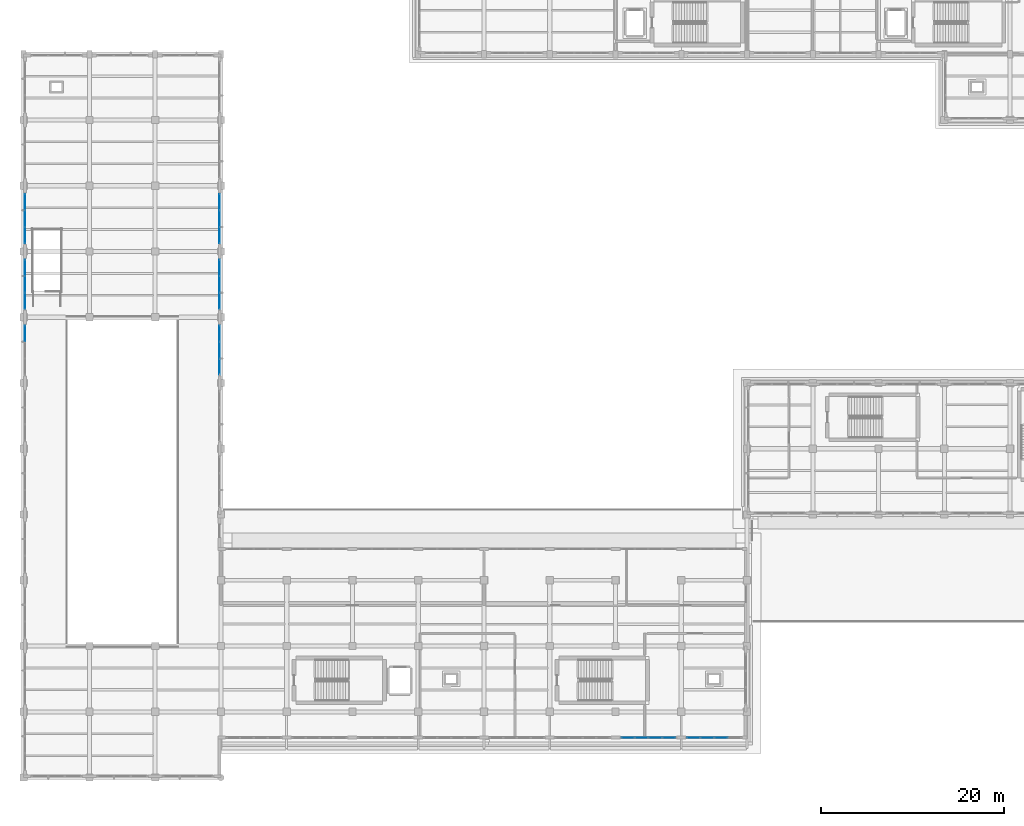
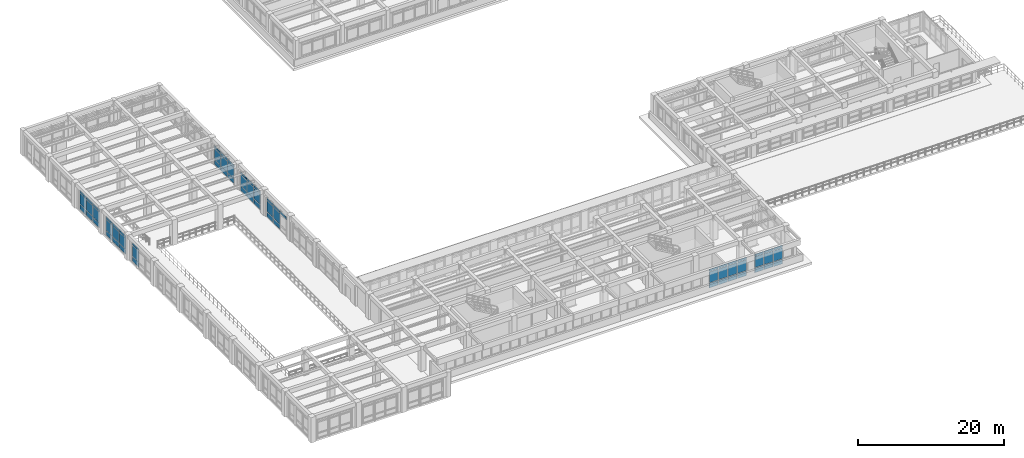
# One storey, part 37 of 67: 67 plates, 8 elements without a shape of their own.
"""IFC4 building model written with IfcOpenShell, lengths in metres."""

from ifc_helpers import new_model, si_unit, direction, frame, origin, origin_2d, place, context, subcontext, project, spatial, rectangle, extrude, material, layer, layer_set, type_object, element, aggregate, save


model = new_model("IFC4")

# Units and contexts
model_context = context("Model", 3, precision=1e-05, world=origin(), true_north=direction((0.0, 1.0)))
body_context = subcontext(model_context, "Body", "Model", "MODEL_VIEW")
ifc_project = project(units=[si_unit("LENGTHUNIT", "METRE"), si_unit("AREAUNIT", "SQUARE_METRE"), si_unit("VOLUMEUNIT", "CUBIC_METRE"), si_unit("PLANEANGLEUNIT", "RADIAN"), si_unit("MASSUNIT", "GRAM", prefix="KILO")], contexts=[model_context])

# Site, building, storey
site_placement = place(None, origin())
site = spatial("IfcSite", under=ifc_project, at=site_placement, CompositionType="ELEMENT")
building_placement = place(site_placement, origin())
building = spatial("IfcBuilding", under=site, at=building_placement, Name="Solenvale Faculty of Natural Sciences", CompositionType="ELEMENT")
storey_placement = place(building_placement, frame((0.0, 0.0, 13.5)))
storey = spatial("IfcBuildingStorey", under=building, at=storey_placement, Name="L03", CompositionType="ELEMENT", Elevation=13.5)

# Curtain wall, plates
ifc_material_1 = material(Name="Anodised bronze aluminium", Category="aluminium")
ifc_layer_1 = layer(ifc_material_1, 0.215087890625)
ifc_layer_set_1 = layer_set([ifc_layer_1], Name="Anodised bronze aluminium")
curtain_wall_type_1 = type_object("IfcCurtainWallType", Name="CW-ATR-UNIT", PredefinedType="USERDEFINED", material=ifc_layer_set_1)
curtain_wall_1_placement = place(storey_placement, origin())
curtain_wall_1 = element("IfcCurtainWall", 1, at=curtain_wall_1_placement, inside=storey, type_object=curtain_wall_type_1, Name="L03 Curtain Wall CW-L03-P1-E1-B4", ObjectType="UNITISED CURTAIN WALL", PredefinedType="USERDEFINED")
ifc_material_2 = material(Name="Triple low-E insulated glass", Category="glass")
ifc_layer_2 = layer(ifc_material_2, 0.031982421875)
ifc_layer_set_2 = layer_set([ifc_layer_2], Name="Triple low-E insulated glass")
plate_type_1 = type_object("IfcPlateType", Name="CWP-PNL-32", PredefinedType="CURTAIN_PANEL", material=ifc_layer_set_2)
plate_1_placement = place(storey_placement, frame((57.45751953125, 59.385498046875, 2.79736328125), z_axis=(0.0, 0.0, 1.0), x_axis=(0.0, 1.0, 0.0)))
plate_1 = element("IfcPlate", 2, at=plate_1_placement, type_object=plate_type_1, Name="CW-01 panel 1.3", PredefinedType="CURTAIN_PANEL", context=body_context, shape_type="SweptSolid", body=[
    extrude(rectangle(XDim=1.720947265625, YDim=0.031982421875, at=origin_2d()), origin(), (0.0, 0.0, 1.0), 0.387451171875),
])
plate_2_placement = place(storey_placement, frame((57.45751953125, 61.199951171875, 0.074951171875), z_axis=(0.0, 0.0, 1.0), x_axis=(0.0, 1.0, 0.0)))
plate_2 = element("IfcPlate", 3, at=plate_2_placement, type_object=plate_type_1, Name="CW-01 panel 2.1", PredefinedType="CURTAIN_PANEL", context=body_context, shape_type="SweptSolid", body=[
    extrude(rectangle(XDim=1.75830078125, YDim=0.031982421875, at=origin_2d()), origin(), (0.0, 0.0, 1.0), 0.78759765625),
])
plate_3_placement = place(storey_placement, frame((57.45751953125, 61.199951171875, 0.9375), z_axis=(0.0, 0.0, 1.0), x_axis=(0.0, 1.0, 0.0)))
plate_3 = element("IfcPlate", 4, at=plate_3_placement, type_object=plate_type_1, Name="CW-01 panel 2.2", PredefinedType="CURTAIN_PANEL", context=body_context, shape_type="SweptSolid", body=[
    extrude(rectangle(XDim=1.75830078125, YDim=0.031982421875, at=origin_2d()), origin(), (0.0, 0.0, 1.0), 1.784912109375),
])
plate_4_placement = place(storey_placement, frame((57.45751953125, 61.199951171875, 2.79736328125), z_axis=(0.0, 0.0, 1.0), x_axis=(0.0, 1.0, 0.0)))
plate_4 = element("IfcPlate", 5, at=plate_4_placement, type_object=plate_type_1, Name="CW-01 panel 2.3", PredefinedType="CURTAIN_PANEL", context=body_context, shape_type="SweptSolid", body=[
    extrude(rectangle(XDim=1.75830078125, YDim=0.031982421875, at=origin_2d()), origin(), (0.0, 0.0, 1.0), 0.387451171875),
])
plate_5_placement = place(storey_placement, frame((57.45751953125, 63.0146484375, 0.074951171875), z_axis=(0.0, 0.0, 1.0), x_axis=(0.0, 1.0, 0.0)))
plate_5 = element("IfcPlate", 6, at=plate_5_placement, type_object=plate_type_1, Name="CW-01 panel 3.1", PredefinedType="CURTAIN_PANEL", context=body_context, shape_type="SweptSolid", body=[
    extrude(rectangle(XDim=1.720947265625, YDim=0.031982421875, at=origin_2d()), origin(), (0.0, 0.0, 1.0), 0.78759765625),
])
plate_6_placement = place(storey_placement, frame((57.45751953125, 63.0146484375, 0.9375), z_axis=(0.0, 0.0, 1.0), x_axis=(0.0, 1.0, 0.0)))
plate_6 = element("IfcPlate", 7, at=plate_6_placement, type_object=plate_type_1, Name="CW-01 panel 3.2", PredefinedType="CURTAIN_PANEL", context=body_context, shape_type="SweptSolid", body=[
    extrude(rectangle(XDim=1.720947265625, YDim=0.031982421875, at=origin_2d()), origin(), (0.0, 0.0, 1.0), 1.784912109375),
])
plate_7_placement = place(storey_placement, frame((57.45751953125, 63.0146484375, 2.79736328125), z_axis=(0.0, 0.0, 1.0), x_axis=(0.0, 1.0, 0.0)))
plate_7 = element("IfcPlate", 8, at=plate_7_placement, type_object=plate_type_1, Name="CW-01 panel 3.3", PredefinedType="CURTAIN_PANEL", context=body_context, shape_type="SweptSolid", body=[
    extrude(rectangle(XDim=1.720947265625, YDim=0.031982421875, at=origin_2d()), origin(), (0.0, 0.0, 1.0), 0.387451171875),
])
aggregate(curtain_wall_1, [plate_1, plate_2, plate_3, plate_4, plate_5, plate_6, plate_7])

ifc_layer_3 = layer(ifc_material_1, 0.18994140625)
ifc_layer_set_3 = layer_set([ifc_layer_3], Name="Anodised bronze aluminium")
curtain_wall_type_2 = type_object("IfcCurtainWallType", Name="CW-TRAY-REC", PredefinedType="USERDEFINED", material=ifc_layer_set_3)
curtain_wall_2_placement = place(storey_placement, origin())
curtain_wall_2 = element("IfcCurtainWall", 9, at=curtain_wall_2_placement, inside=storey, type_object=curtain_wall_type_2, Name="L03 Curtain Wall CW-L03-P1-E6-B7", ObjectType="UNITISED CURTAIN WALL", PredefinedType="USERDEFINED")
plate_8_placement = place(storey_placement, frame((102.15380859375, 18.762451171875, 0.074951171875), z_axis=(0.0, 0.0, 1.0), x_axis=(1.0, 0.0, 0.0)))
plate_8 = element("IfcPlate", 10, at=plate_8_placement, type_object=plate_type_1, Name="CW-02 panel 1.1", PredefinedType="CURTAIN_PANEL", context=body_context, shape_type="SweptSolid", body=[
    extrude(rectangle(XDim=1.3974609375, YDim=0.031982421875, at=origin_2d()), origin(), (0.0, 0.0, 1.0), 0.78759765625),
])
plate_9_placement = place(storey_placement, frame((102.15380859375, 18.762451171875, 0.9375), z_axis=(0.0, 0.0, 1.0), x_axis=(1.0, 0.0, 0.0)))
plate_9 = element("IfcPlate", 11, at=plate_9_placement, type_object=plate_type_1, Name="CW-02 panel 1.2", PredefinedType="CURTAIN_PANEL", context=body_context, shape_type="SweptSolid", body=[
    extrude(rectangle(XDim=1.3974609375, YDim=0.031982421875, at=origin_2d()), origin(), (0.0, 0.0, 1.0), 1.784912109375),
])
plate_10_placement = place(storey_placement, frame((102.15380859375, 18.762451171875, 2.79736328125), z_axis=(0.0, 0.0, 1.0), x_axis=(1.0, 0.0, 0.0)))
plate_10 = element("IfcPlate", 12, at=plate_10_placement, type_object=plate_type_1, Name="CW-02 panel 1.3", PredefinedType="CURTAIN_PANEL", context=body_context, shape_type="SweptSolid", body=[
    extrude(rectangle(XDim=1.3974609375, YDim=0.031982421875, at=origin_2d()), origin(), (0.0, 0.0, 1.0), 0.387451171875),
])
plate_11_placement = place(storey_placement, frame((103.64501953125, 18.762451171875, 0.074951171875), z_axis=(0.0, 0.0, 1.0), x_axis=(1.0, 0.0, 0.0)))
plate_11 = element("IfcPlate", 13, at=plate_11_placement, type_object=plate_type_1, Name="CW-02 panel 2.1", PredefinedType="CURTAIN_PANEL", context=body_context, shape_type="SweptSolid", body=[
    extrude(rectangle(XDim=1.43505859375, YDim=0.031982421875, at=origin_2d()), origin(), (0.0, 0.0, 1.0), 0.78759765625),
])
plate_12_placement = place(storey_placement, frame((103.64501953125, 18.762451171875, 0.9375), z_axis=(0.0, 0.0, 1.0), x_axis=(1.0, 0.0, 0.0)))
plate_12 = element("IfcPlate", 14, at=plate_12_placement, type_object=plate_type_1, Name="CW-02 panel 2.2", PredefinedType="CURTAIN_PANEL", context=body_context, shape_type="SweptSolid", body=[
    extrude(rectangle(XDim=1.43505859375, YDim=0.031982421875, at=origin_2d()), origin(), (0.0, 0.0, 1.0), 1.784912109375),
])
plate_13_placement = place(storey_placement, frame((103.64501953125, 18.762451171875, 2.79736328125), z_axis=(0.0, 0.0, 1.0), x_axis=(1.0, 0.0, 0.0)))
plate_13 = element("IfcPlate", 15, at=plate_13_placement, type_object=plate_type_1, Name="CW-02 panel 2.3", PredefinedType="CURTAIN_PANEL", context=body_context, shape_type="SweptSolid", body=[
    extrude(rectangle(XDim=1.43505859375, YDim=0.031982421875, at=origin_2d()), origin(), (0.0, 0.0, 1.0), 0.387451171875),
])
plate_14_placement = place(storey_placement, frame((105.155029296875, 18.762451171875, 0.074951171875), z_axis=(0.0, 0.0, 1.0), x_axis=(1.0, 0.0, 0.0)))
plate_14 = element("IfcPlate", 16, at=plate_14_placement, type_object=plate_type_1, Name="CW-02 panel 3.1", PredefinedType="CURTAIN_PANEL", context=body_context, shape_type="SweptSolid", body=[
    extrude(rectangle(XDim=1.43505859375, YDim=0.031982421875, at=origin_2d()), origin(), (0.0, 0.0, 1.0), 0.78759765625),
])
plate_15_placement = place(storey_placement, frame((105.155029296875, 18.762451171875, 0.9375), z_axis=(0.0, 0.0, 1.0), x_axis=(1.0, 0.0, 0.0)))
plate_15 = element("IfcPlate", 17, at=plate_15_placement, type_object=plate_type_1, Name="CW-02 panel 3.2", PredefinedType="CURTAIN_PANEL", context=body_context, shape_type="SweptSolid", body=[
    extrude(rectangle(XDim=1.43505859375, YDim=0.031982421875, at=origin_2d()), origin(), (0.0, 0.0, 1.0), 1.784912109375),
])
plate_16_placement = place(storey_placement, frame((105.155029296875, 18.762451171875, 2.79736328125), z_axis=(0.0, 0.0, 1.0), x_axis=(1.0, 0.0, 0.0)))
plate_16 = element("IfcPlate", 18, at=plate_16_placement, type_object=plate_type_1, Name="CW-02 panel 3.3", PredefinedType="CURTAIN_PANEL", context=body_context, shape_type="SweptSolid", body=[
    extrude(rectangle(XDim=1.43505859375, YDim=0.031982421875, at=origin_2d()), origin(), (0.0, 0.0, 1.0), 0.387451171875),
])
plate_17_placement = place(storey_placement, frame((106.646240234375, 18.762451171875, 0.074951171875), z_axis=(0.0, 0.0, 1.0), x_axis=(1.0, 0.0, 0.0)))
plate_17 = element("IfcPlate", 19, at=plate_17_placement, type_object=plate_type_1, Name="CW-02 panel 4.1", PredefinedType="CURTAIN_PANEL", context=body_context, shape_type="SweptSolid", body=[
    extrude(rectangle(XDim=1.3974609375, YDim=0.031982421875, at=origin_2d()), origin(), (0.0, 0.0, 1.0), 0.78759765625),
])
plate_18_placement = place(storey_placement, frame((106.646240234375, 18.762451171875, 0.9375), z_axis=(0.0, 0.0, 1.0), x_axis=(1.0, 0.0, 0.0)))
plate_18 = element("IfcPlate", 20, at=plate_18_placement, type_object=plate_type_1, Name="CW-02 panel 4.2", PredefinedType="CURTAIN_PANEL", context=body_context, shape_type="SweptSolid", body=[
    extrude(rectangle(XDim=1.3974609375, YDim=0.031982421875, at=origin_2d()), origin(), (0.0, 0.0, 1.0), 1.784912109375),
])
plate_19_placement = place(storey_placement, frame((106.646240234375, 18.762451171875, 2.79736328125), z_axis=(0.0, 0.0, 1.0), x_axis=(1.0, 0.0, 0.0)))
plate_19 = element("IfcPlate", 21, at=plate_19_placement, type_object=plate_type_1, Name="CW-02 panel 4.3", PredefinedType="CURTAIN_PANEL", context=body_context, shape_type="SweptSolid", body=[
    extrude(rectangle(XDim=1.3974609375, YDim=0.031982421875, at=origin_2d()), origin(), (0.0, 0.0, 1.0), 0.387451171875),
])
aggregate(curtain_wall_2, [plate_8, plate_9, plate_10, plate_11, plate_12, plate_13, plate_14, plate_15, plate_16, plate_17, plate_18, plate_19])

curtain_wall_3_placement = place(storey_placement, origin())
curtain_wall_3 = element("IfcCurtainWall", 22, at=curtain_wall_3_placement, inside=storey, type_object=curtain_wall_type_1, Name="L03 Curtain Wall CW-L03-P1-E1-B5", ObjectType="UNITISED CURTAIN WALL", PredefinedType="USERDEFINED")
ifc_layer_4 = layer(ifc_material_2, 0.035888671875)
ifc_layer_set_4 = layer_set([ifc_layer_4], Name="Triple low-E insulated glass")
plate_type_2 = type_object("IfcPlateType", Name="CWP-PNL-36", PredefinedType="CURTAIN_PANEL", material=ifc_layer_set_4)
plate_20_placement = place(storey_placement, frame((57.45751953125, 66.58544921875, 0.074951171875), z_axis=(0.0, 0.0, 1.0), x_axis=(0.0, 1.0, 0.0)))
plate_20 = element("IfcPlate", 23, at=plate_20_placement, type_object=plate_type_2, Name="CW-01 panel 1.1", PredefinedType="CURTAIN_PANEL", context=body_context, shape_type="SweptSolid", body=[
    extrude(rectangle(XDim=1.720947265625, YDim=0.035888671875, at=origin_2d()), origin(), (0.0, 0.0, 1.0), 0.78759765625),
])
plate_21_placement = place(storey_placement, frame((57.45751953125, 66.58544921875, 0.9375), z_axis=(0.0, 0.0, 1.0), x_axis=(0.0, 1.0, 0.0)))
plate_21 = element("IfcPlate", 24, at=plate_21_placement, type_object=plate_type_2, Name="CW-01 panel 1.2", PredefinedType="CURTAIN_PANEL", context=body_context, shape_type="SweptSolid", body=[
    extrude(rectangle(XDim=1.720947265625, YDim=0.035888671875, at=origin_2d()), origin(), (0.0, 0.0, 1.0), 1.784912109375),
])
plate_22_placement = place(storey_placement, frame((57.45751953125, 66.58544921875, 2.79736328125), z_axis=(0.0, 0.0, 1.0), x_axis=(0.0, 1.0, 0.0)))
plate_22 = element("IfcPlate", 25, at=plate_22_placement, type_object=plate_type_2, Name="CW-01 panel 1.3", PredefinedType="CURTAIN_PANEL", context=body_context, shape_type="SweptSolid", body=[
    extrude(rectangle(XDim=1.720947265625, YDim=0.035888671875, at=origin_2d()), origin(), (0.0, 0.0, 1.0), 0.387451171875),
])
plate_23_placement = place(storey_placement, frame((57.45751953125, 68.39990234375, 0.074951171875), z_axis=(0.0, 0.0, 1.0), x_axis=(0.0, 1.0, 0.0)))
plate_23 = element("IfcPlate", 26, at=plate_23_placement, type_object=plate_type_2, Name="CW-01 panel 2.1", PredefinedType="CURTAIN_PANEL", context=body_context, shape_type="SweptSolid", body=[
    extrude(rectangle(XDim=1.75830078125, YDim=0.035888671875, at=origin_2d()), origin(), (0.0, 0.0, 1.0), 0.78759765625),
])
plate_24_placement = place(storey_placement, frame((57.45751953125, 68.39990234375, 0.9375), z_axis=(0.0, 0.0, 1.0), x_axis=(0.0, 1.0, 0.0)))
plate_24 = element("IfcPlate", 27, at=plate_24_placement, type_object=plate_type_2, Name="CW-01 panel 2.2", PredefinedType="CURTAIN_PANEL", context=body_context, shape_type="SweptSolid", body=[
    extrude(rectangle(XDim=1.75830078125, YDim=0.035888671875, at=origin_2d()), origin(), (0.0, 0.0, 1.0), 1.784912109375),
])
plate_25_placement = place(storey_placement, frame((57.45751953125, 68.39990234375, 2.79736328125), z_axis=(0.0, 0.0, 1.0), x_axis=(0.0, 1.0, 0.0)))
plate_25 = element("IfcPlate", 28, at=plate_25_placement, type_object=plate_type_2, Name="CW-01 panel 2.3", PredefinedType="CURTAIN_PANEL", context=body_context, shape_type="SweptSolid", body=[
    extrude(rectangle(XDim=1.75830078125, YDim=0.035888671875, at=origin_2d()), origin(), (0.0, 0.0, 1.0), 0.387451171875),
])
plate_26_placement = place(storey_placement, frame((57.45751953125, 70.214599609375, 0.074951171875), z_axis=(0.0, 0.0, 1.0), x_axis=(0.0, 1.0, 0.0)))
plate_26 = element("IfcPlate", 29, at=plate_26_placement, type_object=plate_type_2, Name="CW-01 panel 3.1", PredefinedType="CURTAIN_PANEL", context=body_context, shape_type="SweptSolid", body=[
    extrude(rectangle(XDim=1.720947265625, YDim=0.035888671875, at=origin_2d()), origin(), (0.0, 0.0, 1.0), 0.78759765625),
])
plate_27_placement = place(storey_placement, frame((57.45751953125, 70.214599609375, 0.9375), z_axis=(0.0, 0.0, 1.0), x_axis=(0.0, 1.0, 0.0)))
plate_27 = element("IfcPlate", 30, at=plate_27_placement, type_object=plate_type_2, Name="CW-01 panel 3.2", PredefinedType="CURTAIN_PANEL", context=body_context, shape_type="SweptSolid", body=[
    extrude(rectangle(XDim=1.720947265625, YDim=0.035888671875, at=origin_2d()), origin(), (0.0, 0.0, 1.0), 1.784912109375),
])
plate_28_placement = place(storey_placement, frame((57.45751953125, 70.214599609375, 2.79736328125), z_axis=(0.0, 0.0, 1.0), x_axis=(0.0, 1.0, 0.0)))
plate_28 = element("IfcPlate", 31, at=plate_28_placement, type_object=plate_type_2, Name="CW-01 panel 3.3", PredefinedType="CURTAIN_PANEL", context=body_context, shape_type="SweptSolid", body=[
    extrude(rectangle(XDim=1.720947265625, YDim=0.035888671875, at=origin_2d()), origin(), (0.0, 0.0, 1.0), 0.387451171875),
])
aggregate(curtain_wall_3, [plate_20, plate_21, plate_22, plate_23, plate_24, plate_25, plate_26, plate_27, plate_28])

curtain_wall_4_placement = place(storey_placement, origin())
curtain_wall_4 = element("IfcCurtainWall", 32, at=curtain_wall_4_placement, inside=storey, type_object=curtain_wall_type_1, Name="L03 Curtain Wall CW-L03-P1-E3-B3", ObjectType="UNITISED CURTAIN WALL", PredefinedType="USERDEFINED")
plate_29_placement = place(storey_placement, frame((36.142578125, 77.41455078125, 0.074951171875), z_axis=(0.0, 0.0, 1.0), x_axis=(0.0, -1.0, 0.0)))
plate_29 = element("IfcPlate", 33, at=plate_29_placement, type_object=plate_type_2, Name="CW-01 panel 1.1", PredefinedType="CURTAIN_PANEL", context=body_context, shape_type="SweptSolid", body=[
    extrude(rectangle(XDim=1.720947265625, YDim=0.035888671875, at=origin_2d()), origin(), (0.0, 0.0, 1.0), 0.78759765625),
])
plate_30_placement = place(storey_placement, frame((36.142578125, 77.41455078125, 0.9375), z_axis=(0.0, 0.0, 1.0), x_axis=(0.0, -1.0, 0.0)))
plate_30 = element("IfcPlate", 34, at=plate_30_placement, type_object=plate_type_2, Name="CW-01 panel 1.2", PredefinedType="CURTAIN_PANEL", context=body_context, shape_type="SweptSolid", body=[
    extrude(rectangle(XDim=1.720947265625, YDim=0.035888671875, at=origin_2d()), origin(), (0.0, 0.0, 1.0), 1.784912109375),
])
plate_31_placement = place(storey_placement, frame((36.142578125, 77.41455078125, 2.79736328125), z_axis=(0.0, 0.0, 1.0), x_axis=(0.0, -1.0, 0.0)))
plate_31 = element("IfcPlate", 35, at=plate_31_placement, type_object=plate_type_2, Name="CW-01 panel 1.3", PredefinedType="CURTAIN_PANEL", context=body_context, shape_type="SweptSolid", body=[
    extrude(rectangle(XDim=1.720947265625, YDim=0.035888671875, at=origin_2d()), origin(), (0.0, 0.0, 1.0), 0.387451171875),
])
plate_32_placement = place(storey_placement, frame((36.142578125, 75.60009765625, 0.074951171875), z_axis=(0.0, 0.0, 1.0), x_axis=(0.0, -1.0, 0.0)))
plate_32 = element("IfcPlate", 36, at=plate_32_placement, type_object=plate_type_2, Name="CW-01 panel 2.1", PredefinedType="CURTAIN_PANEL", context=body_context, shape_type="SweptSolid", body=[
    extrude(rectangle(XDim=1.75830078125, YDim=0.035888671875, at=origin_2d()), origin(), (0.0, 0.0, 1.0), 0.78759765625),
])
plate_33_placement = place(storey_placement, frame((36.142578125, 75.60009765625, 0.9375), z_axis=(0.0, 0.0, 1.0), x_axis=(0.0, -1.0, 0.0)))
plate_33 = element("IfcPlate", 37, at=plate_33_placement, type_object=plate_type_2, Name="CW-01 panel 2.2", PredefinedType="CURTAIN_PANEL", context=body_context, shape_type="SweptSolid", body=[
    extrude(rectangle(XDim=1.75830078125, YDim=0.035888671875, at=origin_2d()), origin(), (0.0, 0.0, 1.0), 1.784912109375),
])
plate_34_placement = place(storey_placement, frame((36.142578125, 75.60009765625, 2.79736328125), z_axis=(0.0, 0.0, 1.0), x_axis=(0.0, -1.0, 0.0)))
plate_34 = element("IfcPlate", 38, at=plate_34_placement, type_object=plate_type_2, Name="CW-01 panel 2.3", PredefinedType="CURTAIN_PANEL", context=body_context, shape_type="SweptSolid", body=[
    extrude(rectangle(XDim=1.75830078125, YDim=0.035888671875, at=origin_2d()), origin(), (0.0, 0.0, 1.0), 0.387451171875),
])
plate_35_placement = place(storey_placement, frame((36.142578125, 73.785400390625, 0.074951171875), z_axis=(0.0, 0.0, 1.0), x_axis=(0.0, -1.0, 0.0)))
plate_35 = element("IfcPlate", 39, at=plate_35_placement, type_object=plate_type_2, Name="CW-01 panel 3.1", PredefinedType="CURTAIN_PANEL", context=body_context, shape_type="SweptSolid", body=[
    extrude(rectangle(XDim=1.720947265625, YDim=0.035888671875, at=origin_2d()), origin(), (0.0, 0.0, 1.0), 0.78759765625),
])
plate_36_placement = place(storey_placement, frame((36.142578125, 73.785400390625, 0.9375), z_axis=(0.0, 0.0, 1.0), x_axis=(0.0, -1.0, 0.0)))
plate_36 = element("IfcPlate", 40, at=plate_36_placement, type_object=plate_type_2, Name="CW-01 panel 3.2", PredefinedType="CURTAIN_PANEL", context=body_context, shape_type="SweptSolid", body=[
    extrude(rectangle(XDim=1.720947265625, YDim=0.035888671875, at=origin_2d()), origin(), (0.0, 0.0, 1.0), 1.784912109375),
])
plate_37_placement = place(storey_placement, frame((36.142578125, 73.785400390625, 2.79736328125), z_axis=(0.0, 0.0, 1.0), x_axis=(0.0, -1.0, 0.0)))
plate_37 = element("IfcPlate", 41, at=plate_37_placement, type_object=plate_type_2, Name="CW-01 panel 3.3", PredefinedType="CURTAIN_PANEL", context=body_context, shape_type="SweptSolid", body=[
    extrude(rectangle(XDim=1.720947265625, YDim=0.035888671875, at=origin_2d()), origin(), (0.0, 0.0, 1.0), 0.387451171875),
])
aggregate(curtain_wall_4, [plate_29, plate_30, plate_31, plate_32, plate_33, plate_34, plate_35, plate_36, plate_37])

curtain_wall_5_placement = place(storey_placement, origin())
curtain_wall_5 = element("IfcCurtainWall", 42, at=curtain_wall_5_placement, inside=storey, type_object=curtain_wall_type_2, Name="L03 Curtain Wall CW-L03-P1-E6-B8", ObjectType="UNITISED CURTAIN WALL", PredefinedType="USERDEFINED")
plate_38_placement = place(storey_placement, frame((109.353759765625, 18.762451171875, 0.074951171875), z_axis=(0.0, 0.0, 1.0), x_axis=(1.0, 0.0, 0.0)))
plate_38 = element("IfcPlate", 43, at=plate_38_placement, type_object=plate_type_2, Name="CW-02 panel 1.1", PredefinedType="CURTAIN_PANEL", context=body_context, shape_type="SweptSolid", body=[
    extrude(rectangle(XDim=1.3974609375, YDim=0.035888671875, at=origin_2d()), origin(), (0.0, 0.0, 1.0), 0.78759765625),
])
plate_39_placement = place(storey_placement, frame((109.353759765625, 18.762451171875, 0.9375), z_axis=(0.0, 0.0, 1.0), x_axis=(1.0, 0.0, 0.0)))
plate_39 = element("IfcPlate", 44, at=plate_39_placement, type_object=plate_type_2, Name="CW-02 panel 1.2", PredefinedType="CURTAIN_PANEL", context=body_context, shape_type="SweptSolid", body=[
    extrude(rectangle(XDim=1.3974609375, YDim=0.035888671875, at=origin_2d()), origin(), (0.0, 0.0, 1.0), 1.784912109375),
])
plate_40_placement = place(storey_placement, frame((109.353759765625, 18.762451171875, 2.79736328125), z_axis=(0.0, 0.0, 1.0), x_axis=(1.0, 0.0, 0.0)))
plate_40 = element("IfcPlate", 45, at=plate_40_placement, type_object=plate_type_2, Name="CW-02 panel 1.3", PredefinedType="CURTAIN_PANEL", context=body_context, shape_type="SweptSolid", body=[
    extrude(rectangle(XDim=1.3974609375, YDim=0.035888671875, at=origin_2d()), origin(), (0.0, 0.0, 1.0), 0.387451171875),
])
plate_41_placement = place(storey_placement, frame((110.844970703125, 18.762451171875, 0.074951171875), z_axis=(0.0, 0.0, 1.0), x_axis=(1.0, 0.0, 0.0)))
plate_41 = element("IfcPlate", 46, at=plate_41_placement, type_object=plate_type_2, Name="CW-02 panel 2.1", PredefinedType="CURTAIN_PANEL", context=body_context, shape_type="SweptSolid", body=[
    extrude(rectangle(XDim=1.43505859375, YDim=0.035888671875, at=origin_2d()), origin(), (0.0, 0.0, 1.0), 0.78759765625),
])
plate_42_placement = place(storey_placement, frame((110.844970703125, 18.762451171875, 0.9375), z_axis=(0.0, 0.0, 1.0), x_axis=(1.0, 0.0, 0.0)))
plate_42 = element("IfcPlate", 47, at=plate_42_placement, type_object=plate_type_2, Name="CW-02 panel 2.2", PredefinedType="CURTAIN_PANEL", context=body_context, shape_type="SweptSolid", body=[
    extrude(rectangle(XDim=1.43505859375, YDim=0.035888671875, at=origin_2d()), origin(), (0.0, 0.0, 1.0), 1.784912109375),
])
plate_43_placement = place(storey_placement, frame((110.844970703125, 18.762451171875, 2.79736328125), z_axis=(0.0, 0.0, 1.0), x_axis=(1.0, 0.0, 0.0)))
plate_43 = element("IfcPlate", 48, at=plate_43_placement, type_object=plate_type_2, Name="CW-02 panel 2.3", PredefinedType="CURTAIN_PANEL", context=body_context, shape_type="SweptSolid", body=[
    extrude(rectangle(XDim=1.43505859375, YDim=0.035888671875, at=origin_2d()), origin(), (0.0, 0.0, 1.0), 0.387451171875),
])
plate_44_placement = place(storey_placement, frame((112.35498046875, 18.762451171875, 0.074951171875), z_axis=(0.0, 0.0, 1.0), x_axis=(1.0, 0.0, 0.0)))
plate_44 = element("IfcPlate", 49, at=plate_44_placement, type_object=plate_type_2, Name="CW-02 panel 3.1", PredefinedType="CURTAIN_PANEL", context=body_context, shape_type="SweptSolid", body=[
    extrude(rectangle(XDim=1.43505859375, YDim=0.035888671875, at=origin_2d()), origin(), (0.0, 0.0, 1.0), 0.78759765625),
])
plate_45_placement = place(storey_placement, frame((112.35498046875, 18.762451171875, 0.9375), z_axis=(0.0, 0.0, 1.0), x_axis=(1.0, 0.0, 0.0)))
plate_45 = element("IfcPlate", 50, at=plate_45_placement, type_object=plate_type_2, Name="CW-02 panel 3.2", PredefinedType="CURTAIN_PANEL", context=body_context, shape_type="SweptSolid", body=[
    extrude(rectangle(XDim=1.43505859375, YDim=0.035888671875, at=origin_2d()), origin(), (0.0, 0.0, 1.0), 1.784912109375),
])
plate_46_placement = place(storey_placement, frame((112.35498046875, 18.762451171875, 2.79736328125), z_axis=(0.0, 0.0, 1.0), x_axis=(1.0, 0.0, 0.0)))
plate_46 = element("IfcPlate", 51, at=plate_46_placement, type_object=plate_type_2, Name="CW-02 panel 3.3", PredefinedType="CURTAIN_PANEL", context=body_context, shape_type="SweptSolid", body=[
    extrude(rectangle(XDim=1.43505859375, YDim=0.035888671875, at=origin_2d()), origin(), (0.0, 0.0, 1.0), 0.387451171875),
])
aggregate(curtain_wall_5, [plate_38, plate_39, plate_40, plate_41, plate_42, plate_43, plate_44, plate_45, plate_46])

curtain_wall_6_placement = place(storey_placement, origin())
curtain_wall_6 = element("IfcCurtainWall", 52, at=curtain_wall_6_placement, inside=storey, type_object=curtain_wall_type_1, Name="L03 Curtain Wall CW-L03-P1-E1-B6", ObjectType="UNITISED CURTAIN WALL", PredefinedType="USERDEFINED")
ifc_layer_5 = layer(ifc_material_2, 0.0400390625)
ifc_layer_set_5 = layer_set([ifc_layer_5], Name="Triple low-E insulated glass")
plate_type_3 = type_object("IfcPlateType", Name="CWP-PNL-40", PredefinedType="CURTAIN_PANEL", material=ifc_layer_set_5)
plate_47_placement = place(storey_placement, frame((57.45751953125, 73.785400390625, 0.074951171875), z_axis=(0.0, 0.0, 1.0), x_axis=(0.0, 1.0, 0.0)))
plate_47 = element("IfcPlate", 53, at=plate_47_placement, type_object=plate_type_3, Name="CW-01 panel 1.1", PredefinedType="CURTAIN_PANEL", context=body_context, shape_type="SweptSolid", body=[
    extrude(rectangle(XDim=1.720947265625, YDim=0.0400390625, at=origin_2d()), origin(), (0.0, 0.0, 1.0), 0.78759765625),
])
plate_48_placement = place(storey_placement, frame((57.45751953125, 73.785400390625, 0.9375), z_axis=(0.0, 0.0, 1.0), x_axis=(0.0, 1.0, 0.0)))
plate_48 = element("IfcPlate", 54, at=plate_48_placement, type_object=plate_type_3, Name="CW-01 panel 1.2", PredefinedType="CURTAIN_PANEL", context=body_context, shape_type="SweptSolid", body=[
    extrude(rectangle(XDim=1.720947265625, YDim=0.0400390625, at=origin_2d()), origin(), (0.0, 0.0, 1.0), 1.784912109375),
])
plate_49_placement = place(storey_placement, frame((57.45751953125, 73.785400390625, 2.79736328125), z_axis=(0.0, 0.0, 1.0), x_axis=(0.0, 1.0, 0.0)))
plate_49 = element("IfcPlate", 55, at=plate_49_placement, type_object=plate_type_3, Name="CW-01 panel 1.3", PredefinedType="CURTAIN_PANEL", context=body_context, shape_type="SweptSolid", body=[
    extrude(rectangle(XDim=1.720947265625, YDim=0.0400390625, at=origin_2d()), origin(), (0.0, 0.0, 1.0), 0.387451171875),
])
plate_50_placement = place(storey_placement, frame((57.45751953125, 75.60009765625, 0.074951171875), z_axis=(0.0, 0.0, 1.0), x_axis=(0.0, 1.0, 0.0)))
plate_50 = element("IfcPlate", 56, at=plate_50_placement, type_object=plate_type_3, Name="CW-01 panel 2.1", PredefinedType="CURTAIN_PANEL", context=body_context, shape_type="SweptSolid", body=[
    extrude(rectangle(XDim=1.75830078125, YDim=0.0400390625, at=origin_2d()), origin(), (0.0, 0.0, 1.0), 0.78759765625),
])
plate_51_placement = place(storey_placement, frame((57.45751953125, 75.60009765625, 0.9375), z_axis=(0.0, 0.0, 1.0), x_axis=(0.0, 1.0, 0.0)))
plate_51 = element("IfcPlate", 57, at=plate_51_placement, type_object=plate_type_3, Name="CW-01 panel 2.2", PredefinedType="CURTAIN_PANEL", context=body_context, shape_type="SweptSolid", body=[
    extrude(rectangle(XDim=1.75830078125, YDim=0.0400390625, at=origin_2d()), origin(), (0.0, 0.0, 1.0), 1.784912109375),
])
plate_52_placement = place(storey_placement, frame((57.45751953125, 75.60009765625, 2.79736328125), z_axis=(0.0, 0.0, 1.0), x_axis=(0.0, 1.0, 0.0)))
plate_52 = element("IfcPlate", 58, at=plate_52_placement, type_object=plate_type_3, Name="CW-01 panel 2.3", PredefinedType="CURTAIN_PANEL", context=body_context, shape_type="SweptSolid", body=[
    extrude(rectangle(XDim=1.75830078125, YDim=0.0400390625, at=origin_2d()), origin(), (0.0, 0.0, 1.0), 0.387451171875),
])
plate_53_placement = place(storey_placement, frame((57.45751953125, 77.41455078125, 0.074951171875), z_axis=(0.0, 0.0, 1.0), x_axis=(0.0, 1.0, 0.0)))
plate_53 = element("IfcPlate", 59, at=plate_53_placement, type_object=plate_type_3, Name="CW-01 panel 3.1", PredefinedType="CURTAIN_PANEL", context=body_context, shape_type="SweptSolid", body=[
    extrude(rectangle(XDim=1.720947265625, YDim=0.0400390625, at=origin_2d()), origin(), (0.0, 0.0, 1.0), 0.78759765625),
])
plate_54_placement = place(storey_placement, frame((57.45751953125, 77.41455078125, 0.9375), z_axis=(0.0, 0.0, 1.0), x_axis=(0.0, 1.0, 0.0)))
plate_54 = element("IfcPlate", 60, at=plate_54_placement, type_object=plate_type_3, Name="CW-01 panel 3.2", PredefinedType="CURTAIN_PANEL", context=body_context, shape_type="SweptSolid", body=[
    extrude(rectangle(XDim=1.720947265625, YDim=0.0400390625, at=origin_2d()), origin(), (0.0, 0.0, 1.0), 1.784912109375),
])
plate_55_placement = place(storey_placement, frame((57.45751953125, 77.41455078125, 2.79736328125), z_axis=(0.0, 0.0, 1.0), x_axis=(0.0, 1.0, 0.0)))
plate_55 = element("IfcPlate", 61, at=plate_55_placement, type_object=plate_type_3, Name="CW-01 panel 3.3", PredefinedType="CURTAIN_PANEL", context=body_context, shape_type="SweptSolid", body=[
    extrude(rectangle(XDim=1.720947265625, YDim=0.0400390625, at=origin_2d()), origin(), (0.0, 0.0, 1.0), 0.387451171875),
])
aggregate(curtain_wall_6, [plate_47, plate_48, plate_49, plate_50, plate_51, plate_52, plate_53, plate_54, plate_55])

curtain_wall_7_placement = place(storey_placement, origin())
curtain_wall_7 = element("IfcCurtainWall", 62, at=curtain_wall_7_placement, inside=storey, type_object=curtain_wall_type_1, Name="L03 Curtain Wall CW-L03-P1-E3-B4", ObjectType="UNITISED CURTAIN WALL", PredefinedType="USERDEFINED")
plate_56_placement = place(storey_placement, frame((36.142578125, 70.214599609375, 0.074951171875), z_axis=(0.0, 0.0, 1.0), x_axis=(0.0, -1.0, 0.0)))
plate_56 = element("IfcPlate", 63, at=plate_56_placement, type_object=plate_type_3, Name="CW-01 panel 1.1", PredefinedType="CURTAIN_PANEL", context=body_context, shape_type="SweptSolid", body=[
    extrude(rectangle(XDim=1.720947265625, YDim=0.0400390625, at=origin_2d()), origin(), (0.0, 0.0, 1.0), 0.78759765625),
])
plate_57_placement = place(storey_placement, frame((36.142578125, 70.214599609375, 0.9375), z_axis=(0.0, 0.0, 1.0), x_axis=(0.0, -1.0, 0.0)))
plate_57 = element("IfcPlate", 64, at=plate_57_placement, type_object=plate_type_3, Name="CW-01 panel 1.2", PredefinedType="CURTAIN_PANEL", context=body_context, shape_type="SweptSolid", body=[
    extrude(rectangle(XDim=1.720947265625, YDim=0.0400390625, at=origin_2d()), origin(), (0.0, 0.0, 1.0), 1.784912109375),
])
plate_58_placement = place(storey_placement, frame((36.142578125, 70.214599609375, 2.79736328125), z_axis=(0.0, 0.0, 1.0), x_axis=(0.0, -1.0, 0.0)))
plate_58 = element("IfcPlate", 65, at=plate_58_placement, type_object=plate_type_3, Name="CW-01 panel 1.3", PredefinedType="CURTAIN_PANEL", context=body_context, shape_type="SweptSolid", body=[
    extrude(rectangle(XDim=1.720947265625, YDim=0.0400390625, at=origin_2d()), origin(), (0.0, 0.0, 1.0), 0.387451171875),
])
plate_59_placement = place(storey_placement, frame((36.142578125, 68.39990234375, 0.074951171875), z_axis=(0.0, 0.0, 1.0), x_axis=(0.0, -1.0, 0.0)))
plate_59 = element("IfcPlate", 66, at=plate_59_placement, type_object=plate_type_3, Name="CW-01 panel 2.1", PredefinedType="CURTAIN_PANEL", context=body_context, shape_type="SweptSolid", body=[
    extrude(rectangle(XDim=1.75830078125, YDim=0.0400390625, at=origin_2d()), origin(), (0.0, 0.0, 1.0), 0.78759765625),
])
plate_60_placement = place(storey_placement, frame((36.142578125, 68.39990234375, 0.9375), z_axis=(0.0, 0.0, 1.0), x_axis=(0.0, -1.0, 0.0)))
plate_60 = element("IfcPlate", 67, at=plate_60_placement, type_object=plate_type_3, Name="CW-01 panel 2.2", PredefinedType="CURTAIN_PANEL", context=body_context, shape_type="SweptSolid", body=[
    extrude(rectangle(XDim=1.75830078125, YDim=0.0400390625, at=origin_2d()), origin(), (0.0, 0.0, 1.0), 1.784912109375),
])
plate_61_placement = place(storey_placement, frame((36.142578125, 68.39990234375, 2.79736328125), z_axis=(0.0, 0.0, 1.0), x_axis=(0.0, -1.0, 0.0)))
plate_61 = element("IfcPlate", 68, at=plate_61_placement, type_object=plate_type_3, Name="CW-01 panel 2.3", PredefinedType="CURTAIN_PANEL", context=body_context, shape_type="SweptSolid", body=[
    extrude(rectangle(XDim=1.75830078125, YDim=0.0400390625, at=origin_2d()), origin(), (0.0, 0.0, 1.0), 0.387451171875),
])
plate_62_placement = place(storey_placement, frame((36.142578125, 66.58544921875, 0.074951171875), z_axis=(0.0, 0.0, 1.0), x_axis=(0.0, -1.0, 0.0)))
plate_62 = element("IfcPlate", 69, at=plate_62_placement, type_object=plate_type_3, Name="CW-01 panel 3.1", PredefinedType="CURTAIN_PANEL", context=body_context, shape_type="SweptSolid", body=[
    extrude(rectangle(XDim=1.720947265625, YDim=0.0400390625, at=origin_2d()), origin(), (0.0, 0.0, 1.0), 0.78759765625),
])
plate_63_placement = place(storey_placement, frame((36.142578125, 66.58544921875, 0.9375), z_axis=(0.0, 0.0, 1.0), x_axis=(0.0, -1.0, 0.0)))
plate_63 = element("IfcPlate", 70, at=plate_63_placement, type_object=plate_type_3, Name="CW-01 panel 3.2", PredefinedType="CURTAIN_PANEL", context=body_context, shape_type="SweptSolid", body=[
    extrude(rectangle(XDim=1.720947265625, YDim=0.0400390625, at=origin_2d()), origin(), (0.0, 0.0, 1.0), 1.784912109375),
])
plate_64_placement = place(storey_placement, frame((36.142578125, 66.58544921875, 2.79736328125), z_axis=(0.0, 0.0, 1.0), x_axis=(0.0, -1.0, 0.0)))
plate_64 = element("IfcPlate", 71, at=plate_64_placement, type_object=plate_type_3, Name="CW-01 panel 3.3", PredefinedType="CURTAIN_PANEL", context=body_context, shape_type="SweptSolid", body=[
    extrude(rectangle(XDim=1.720947265625, YDim=0.0400390625, at=origin_2d()), origin(), (0.0, 0.0, 1.0), 0.387451171875),
])
aggregate(curtain_wall_7, [plate_56, plate_57, plate_58, plate_59, plate_60, plate_61, plate_62, plate_63, plate_64])

curtain_wall_8_placement = place(storey_placement, origin())
curtain_wall_8 = element("IfcCurtainWall", 72, at=curtain_wall_8_placement, inside=storey, type_object=curtain_wall_type_1, Name="L03 Curtain Wall CW-L03-P1-E3-B5", ObjectType="UNITISED CURTAIN WALL", PredefinedType="USERDEFINED")
ifc_layer_6 = layer(ifc_material_2, 0.0439453125)
ifc_layer_set_6 = layer_set([ifc_layer_6], Name="Triple low-E insulated glass")
plate_type_4 = type_object("IfcPlateType", Name="CWP-PNL-44", PredefinedType="CURTAIN_PANEL", material=ifc_layer_set_6)
plate_65_placement = place(storey_placement, frame((36.142578125, 63.0146484375, 0.074951171875), z_axis=(0.0, 0.0, 1.0), x_axis=(0.0, -1.0, 0.0)))
plate_65 = element("IfcPlate", 73, at=plate_65_placement, type_object=plate_type_4, Name="CW-01 panel 1.1", PredefinedType="CURTAIN_PANEL", context=body_context, shape_type="SweptSolid", body=[
    extrude(rectangle(XDim=1.720947265625, YDim=0.0439453125, at=origin_2d()), origin(), (0.0, 0.0, 1.0), 0.78759765625),
])
plate_66_placement = place(storey_placement, frame((36.142578125, 63.0146484375, 0.9375), z_axis=(0.0, 0.0, 1.0), x_axis=(0.0, -1.0, 0.0)))
plate_66 = element("IfcPlate", 74, at=plate_66_placement, type_object=plate_type_4, Name="CW-01 panel 1.2", PredefinedType="CURTAIN_PANEL", context=body_context, shape_type="SweptSolid", body=[
    extrude(rectangle(XDim=1.720947265625, YDim=0.0439453125, at=origin_2d()), origin(), (0.0, 0.0, 1.0), 1.784912109375),
])
plate_67_placement = place(storey_placement, frame((36.142578125, 63.0146484375, 2.79736328125), z_axis=(0.0, 0.0, 1.0), x_axis=(0.0, -1.0, 0.0)))
plate_67 = element("IfcPlate", 75, at=plate_67_placement, type_object=plate_type_4, Name="CW-01 panel 1.3", PredefinedType="CURTAIN_PANEL", context=body_context, shape_type="SweptSolid", body=[
    extrude(rectangle(XDim=1.720947265625, YDim=0.0439453125, at=origin_2d()), origin(), (0.0, 0.0, 1.0), 0.387451171875),
])
aggregate(curtain_wall_8, [plate_65, plate_66, plate_67])

save(model, "model.ifc")
